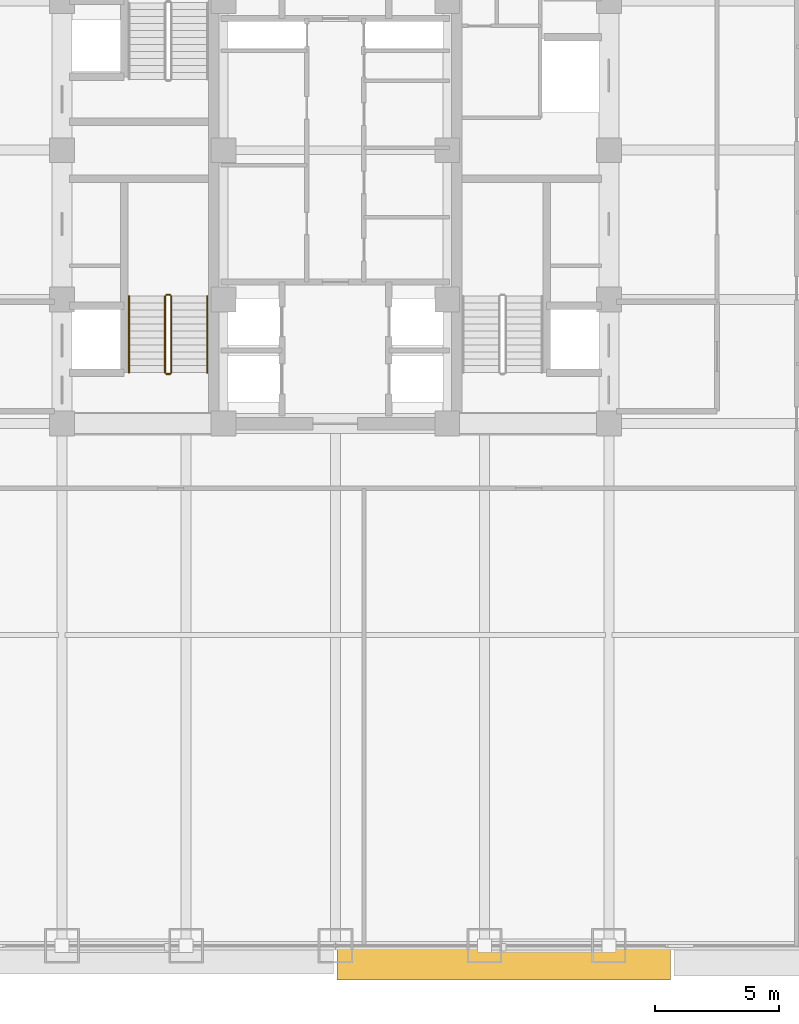
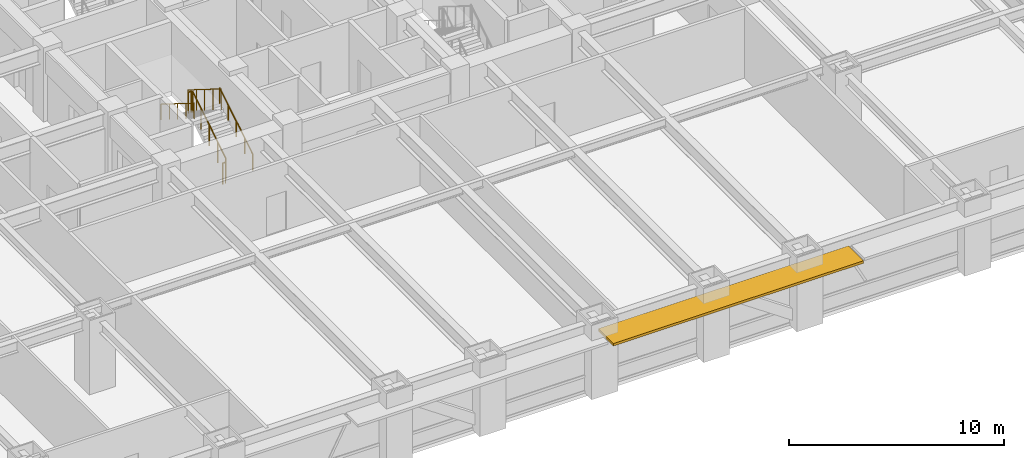
# One storey, part 29 of 32: 6 railings, 1 shading device.
"""IFC4 building model written with IfcOpenShell, lengths in metres."""

from ifc_helpers import new_model, si_unit, direction, frame, origin, origin_2d, place, context, subcontext, project, spatial, rectangle, circle, extrude, source, transform, mapped, material, layer, layer_set, type_object, element, save


model = new_model("IFC4")

# Units and contexts
model_context = context("Model", 3, precision=1e-05, world=origin(), true_north=direction((0.0, 1.0)))
body_context = subcontext(model_context, "Body", "Model", "MODEL_VIEW")
ifc_project = project(units=[si_unit("LENGTHUNIT", "METRE"), si_unit("AREAUNIT", "SQUARE_METRE"), si_unit("VOLUMEUNIT", "CUBIC_METRE"), si_unit("PLANEANGLEUNIT", "RADIAN"), si_unit("MASSUNIT", "GRAM", prefix="KILO")], contexts=[model_context])

# Site, building, storey
site_placement = place(None, origin())
site = spatial("IfcSite", under=ifc_project, at=site_placement, CompositionType="ELEMENT")
building_placement = place(site_placement, origin())
building = spatial("IfcBuilding", under=site, at=building_placement, Name="Khorayat Bourse Tower", CompositionType="ELEMENT")
storey_placement = place(building_placement, frame((0.0, 0.0, 78.800048828125)))
storey = spatial("IfcBuildingStorey", under=building, at=storey_placement, Name="L17", CompositionType="ELEMENT", Elevation=78.800048828125)

# Shading device
ifc_material_1 = material(Name="Precast concrete C45/55", Category="concrete")
ifc_layer = layer(ifc_material_1, 0.139892578125)
ifc_layer_set = layer_set([ifc_layer], Name="Precast concrete C45/55")
shading_device_type = type_object("IfcShadingDeviceType", Name="SHD-WAVE-TRAY-B", PredefinedType="USERDEFINED", material=ifc_layer_set)
shared_shape_1 = source(origin(), body_context, "Body", "SweptSolid", [
    extrude(rectangle(XDim=13.409912109375, YDim=1.397216796875, at=origin_2d()), origin(), (0.0, 0.0, 1.0), 0.139892578125),
])
shading_device_placement = place(storey_placement, frame((6.77490234375, -32.6787109375, 3.18994140625), z_axis=(0.0, 0.0, 1.0), x_axis=(1.0, 0.0, 0.0)))
element("IfcShadingDevice", 1, at=shading_device_placement, inside=storey, type_object=shading_device_type, Name="L17 Sinusoidal Wave Sunshade Tray S-3", ObjectType="SUNSHADE", PredefinedType="USERDEFINED", context=body_context, shape_type="MappedRepresentation", body=[
    mapped(shared_shape_1, transform((0.0, 0.0, 0.0), scale=1.0)),
])

# Railings
ifc_material_2 = material(Name="Powder-coated steel balustrade", Category="steel")
railing_type_1 = type_object("IfcRailingType", Name="RLG-GUARD-1200", PredefinedType="GUARDRAIL", material=ifc_material_2)
shared_shape_2 = source(origin(), body_context, "Body", "SweptSolid", [
    extrude(circle(Radius=0.02392578125, at=origin_2d()), frame((0.0, 0.0, 1.17578125), z_axis=(-1.0, 0.0, 0.0), x_axis=(0.0, -1.0, 0.0)), (0.0, 0.0, 1.0), 0.150146484375),
    extrude(circle(Radius=0.02099609375, at=origin_2d()), origin(), (0.0, 0.0, 1.0), 1.15185546875),
    extrude(circle(Radius=0.02099609375, at=origin_2d()), frame((-0.150146484375, 0.0, 0.0)), (0.0, 0.0, 1.0), 1.15185546875),
])
for number, where, name in (
    (2, (-6.64990234375, -5.820068359375, 2.099853515625), "L17 ST-1 stair guard 2"),
    (3, (-6.64990234375, -9.0, 0.0), "L17 ST-1 stair guard 4"),
):
    element("IfcRailing", number, at=place(storey_placement, frame(where)), inside=storey, type_object=railing_type_1, Name=name, PredefinedType="GUARDRAIL", context=body_context, shape_type="MappedRepresentation", body=[
        mapped(shared_shape_2, transform((0.0, 0.0, 0.0), scale=1.0)),
    ])
shared_shape_3 = source(origin(), body_context, "Body", "SweptSolid", [
    extrude(circle(Radius=0.02392578125, at=origin_2d()), frame((0.0, 0.0, 1.17578125), z_axis=(0.0, -0.847979421464, 0.530029150871), x_axis=(1.0, 0.0, 0.0)), (0.0, 0.0, 1.0), 3.632080078125),
    extrude(circle(Radius=0.02099609375, at=origin_2d()), origin(), (0.0, 0.0, 1.0), 1.15185546875),
    extrude(circle(Radius=0.02099609375, at=origin_2d()), frame((0.0, -0.77001953125, 0.481201171875)), (0.0, 0.0, 1.0), 1.15185546875),
    extrude(circle(Radius=0.02099609375, at=origin_2d()), frame((0.0, -1.5400390625, 0.96240234375)), (0.0, 0.0, 1.0), 1.15185546875),
    extrude(circle(Radius=0.02099609375, at=origin_2d()), frame((0.0, -2.309814453125, 1.44384765625)), (0.0, 0.0, 1.0), 1.15185546875),
    extrude(circle(Radius=0.02099609375, at=origin_2d()), frame((0.0, -3.079833984375, 1.925048828125)), (0.0, 0.0, 1.0), 1.15185546875),
])
railing_1_placement = place(storey_placement, frame((-6.85009765625, -5.8701171875, 2.27490234375)))
element("IfcRailing", 4, at=railing_1_placement, inside=storey, type_object=railing_type_1, Name="L17 ST-1 stair guard 3", PredefinedType="GUARDRAIL", context=body_context, shape_type="MappedRepresentation", body=[
    mapped(shared_shape_3, transform((0.0, 0.0, 0.0), scale=1.0)),
])
ifc_material_3 = material(Name="Brushed bronze stainless-steel handrail", Category="steel")
railing_type_2 = type_object("IfcRailingType", Name="RLG-HAND-900", PredefinedType="HANDRAIL", material=ifc_material_3)
shared_shape_4 = source(origin(), body_context, "Body", "SweptSolid", [
    extrude(circle(Radius=0.02392578125, at=origin_2d()), frame((0.0, 0.0, 0.8759765625), z_axis=(0.0, -0.847979421464, 0.530029150871), x_axis=(1.0, 0.0, 0.0)), (0.0, 0.0, 1.0), 3.632080078125),
    extrude(circle(Radius=0.02099609375, at=origin_2d()), origin(), (0.0, 0.0, 1.0), 0.851806640625),
    extrude(circle(Radius=0.02099609375, at=origin_2d()), frame((0.0, -0.77001953125, 0.481201171875)), (0.0, 0.0, 1.0), 0.851806640625),
    extrude(circle(Radius=0.02099609375, at=origin_2d()), frame((0.0, -1.5400390625, 0.96240234375)), (0.0, 0.0, 1.0), 0.851806640625),
    extrude(circle(Radius=0.02099609375, at=origin_2d()), frame((0.0, -2.309814453125, 1.44384765625)), (0.0, 0.0, 1.0), 0.851806640625),
    extrude(circle(Radius=0.02099609375, at=origin_2d()), frame((0.0, -3.079833984375, 1.925048828125)), (0.0, 0.0, 1.0), 0.851806640625),
])
railing_2_placement = place(storey_placement, frame((-8.300048828125, -5.8701171875, 2.27490234375)))
element("IfcRailing", 5, at=railing_2_placement, inside=storey, type_object=railing_type_2, Name="L17 ST-1 stair handrail 2", PredefinedType="HANDRAIL", context=body_context, shape_type="MappedRepresentation", body=[
    mapped(shared_shape_4, transform((0.0, 0.0, 0.0), scale=1.0)),
])
shared_shape_5 = source(origin(), body_context, "Body", "SweptSolid", [
    extrude(circle(Radius=0.02392578125, at=origin_2d()), frame((0.0, 0.0, 1.17578125), z_axis=(0.0, 0.848009633417, 0.529980812513), x_axis=(-1.0, 0.0, 0.0)), (0.0, 0.0, 1.0), 3.6318359375),
    extrude(circle(Radius=0.02099609375, at=origin_2d()), origin(), (0.0, 0.0, 1.0), 1.15185546875),
    extrude(circle(Radius=0.02099609375, at=origin_2d()), frame((0.0, 0.77001953125, 0.481201171875)), (0.0, 0.0, 1.0), 1.15185546875),
    extrude(circle(Radius=0.02099609375, at=origin_2d()), frame((0.0, 1.5400390625, 0.96240234375)), (0.0, 0.0, 1.0), 1.15185546875),
    extrude(circle(Radius=0.02099609375, at=origin_2d()), frame((0.0, 2.309814453125, 1.443603515625)), (0.0, 0.0, 1.0), 1.15185546875),
    extrude(circle(Radius=0.02099609375, at=origin_2d()), frame((0.0, 3.079833984375, 1.9248046875)), (0.0, 0.0, 1.0), 1.15185546875),
])
railing_3_placement = place(storey_placement, frame((-6.60009765625, -8.949951171875, 0.175048828125)))
element("IfcRailing", 6, at=railing_3_placement, inside=storey, type_object=railing_type_1, Name="L17 ST-1 stair guard 1", PredefinedType="GUARDRAIL", context=body_context, shape_type="MappedRepresentation", body=[
    mapped(shared_shape_5, transform((0.0, 0.0, 0.0), scale=1.0)),
])
shared_shape_6 = source(origin(), body_context, "Body", "SweptSolid", [
    extrude(circle(Radius=0.02392578125, at=origin_2d()), frame((0.0, 0.0, 0.8759765625), z_axis=(0.0, 0.848009633417, 0.529980812513), x_axis=(-1.0, 0.0, 0.0)), (0.0, 0.0, 1.0), 3.6318359375),
    extrude(circle(Radius=0.02099609375, at=origin_2d()), origin(), (0.0, 0.0, 1.0), 0.851806640625),
    extrude(circle(Radius=0.02099609375, at=origin_2d()), frame((0.0, 0.77001953125, 0.481201171875)), (0.0, 0.0, 1.0), 0.851806640625),
    extrude(circle(Radius=0.02099609375, at=origin_2d()), frame((0.0, 1.5400390625, 0.96240234375)), (0.0, 0.0, 1.0), 0.851806640625),
    extrude(circle(Radius=0.02099609375, at=origin_2d()), frame((0.0, 2.309814453125, 1.443603515625)), (0.0, 0.0, 1.0), 0.851806640625),
    extrude(circle(Radius=0.02099609375, at=origin_2d()), frame((0.0, 3.079833984375, 1.9248046875)), (0.0, 0.0, 1.0), 0.851806640625),
])
railing_4_placement = place(storey_placement, frame((-5.14990234375, -8.949951171875, 0.175048828125)))
element("IfcRailing", 7, at=railing_4_placement, inside=storey, type_object=railing_type_2, Name="L17 ST-1 stair handrail 1", PredefinedType="HANDRAIL", context=body_context, shape_type="MappedRepresentation", body=[
    mapped(shared_shape_6, transform((0.0, 0.0, 0.0), scale=1.0)),
])

save(model, "model.ifc")
